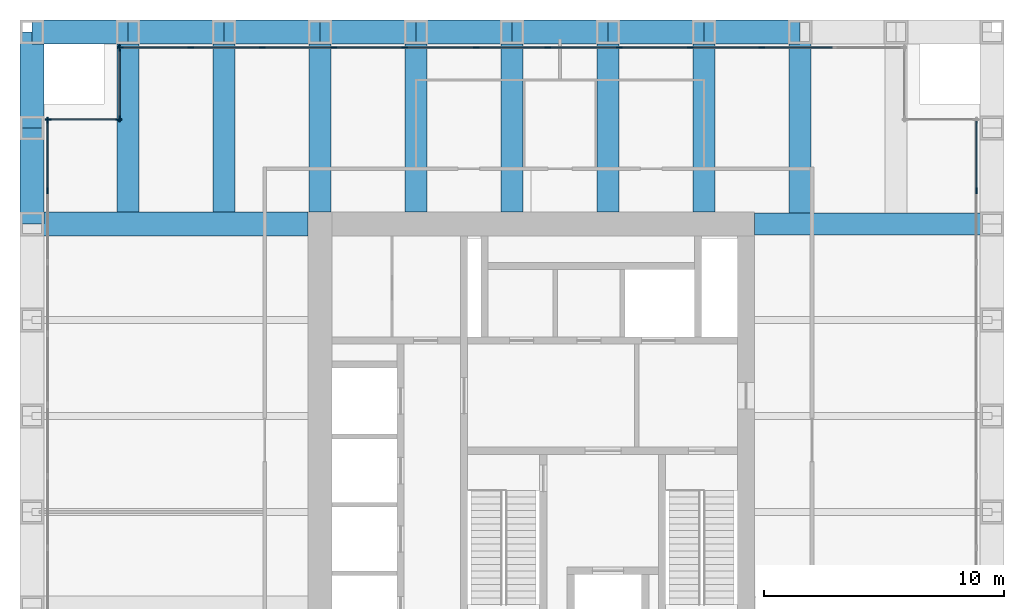
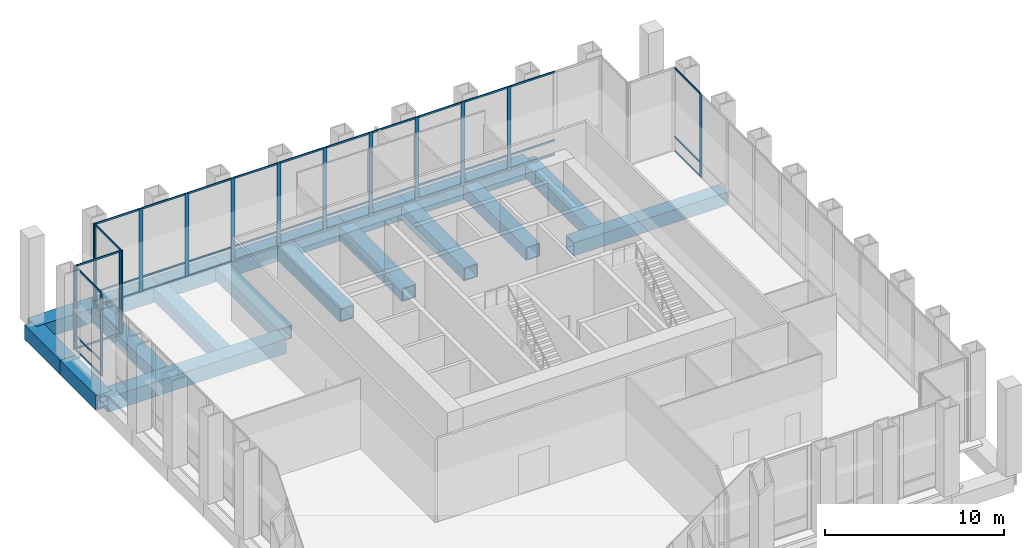
# One storey, part 6 of 12: 57 members, 20 beams, 5 elements without a shape of their own.
"""IFC4 building model written with IfcOpenShell, lengths in metres."""

from ifc_helpers import new_model, si_unit, direction, frame, origin, origin_2d, place, context, subcontext, project, spatial, rectangle, hollow_rectangle, extrude, material, material_profile, profile_set, type_object, element, aggregate, save


model = new_model("IFC4")

# Units and contexts
model_context = context("Model", 3, precision=1e-05, world=origin(), true_north=direction((0.0, 1.0)))
body_context = subcontext(model_context, "Body", "Model", "MODEL_VIEW")
ifc_project = project(units=[si_unit("LENGTHUNIT", "METRE"), si_unit("AREAUNIT", "SQUARE_METRE"), si_unit("VOLUMEUNIT", "CUBIC_METRE"), si_unit("PLANEANGLEUNIT", "RADIAN"), si_unit("MASSUNIT", "GRAM", prefix="KILO")], contexts=[model_context])

# Site, building, storey
site_placement = place(None, origin())
site = spatial("IfcSite", under=ifc_project, at=site_placement, CompositionType="ELEMENT")
building_placement = place(site_placement, origin())
building = spatial("IfcBuilding", under=site, at=building_placement, Name="Rimbunsela Tower", CompositionType="ELEMENT")
storey_placement = place(building_placement, frame((0.0, 0.0, 298.199951171875)))
storey = spatial("IfcBuildingStorey", under=building, at=storey_placement, Name="L72", CompositionType="ELEMENT", Elevation=298.199951171875)

# Beams
ifc_material_1 = material(Name="Steel BJ 55 (fy 410 MPa)", Category="steel")
ifc_material_profile_1 = material_profile(ifc_material_1, hollow_rectangle(XDim=1.0, YDim=1.0, WallThickness=0.10009765625, at=origin_2d()), Name="BOX 1000x1000x100")
ifc_profile_set_1 = profile_set([ifc_material_profile_1], Name="Steel BJ 55 (fy 410 MPa)")
beam_type_1 = type_object("IfcBeamType", Name="Beam BOX 1000x1000x100", PredefinedType="BEAM", material=ifc_profile_set_1)
beam_1_placement = place(storey_placement, frame((6.0, 36.0, -0.64990234375), z_axis=(0.0, 1.0, 0.0), x_axis=(-1.0, 0.0, 0.0)))
element("IfcBeam", 1, at=beam_1_placement, inside=storey, type_object=beam_type_1, Name="Beam B3 L72", PredefinedType="BEAM", context=body_context, shape_type="SweptSolid", body=[
    extrude(hollow_rectangle(XDim=1.0, YDim=1.0, WallThickness=0.10009765625, at=origin_2d()), origin(), (0.0, 0.0, 1.0), 4.0),
])
beam_2_placement = place(storey_placement, frame((6.0, 36.0, -0.64990234375), z_axis=(1.0, 0.0, 0.0), x_axis=(0.0, 1.0, 0.0)))
element("IfcBeam", 2, at=beam_2_placement, inside=storey, type_object=beam_type_1, Name="Beam B3 L72", PredefinedType="BEAM", context=body_context, shape_type="SweptSolid", body=[
    extrude(hollow_rectangle(XDim=1.0, YDim=1.0, WallThickness=0.10009765625, at=origin_2d()), origin(), (0.0, 0.0, 1.0), 11.5),
])
for number, where, z_axis, x_axis, name in (
    (3, (6.0, 40.0, -0.64990234375), (0.0, 1.0, 0.0), (-1.0, 0.0, 0.0), "Beam B3 L72"),
    (4, (6.0, 44.0, -0.64990234375), (1.0, 0.0, 0.0), (0.0, 1.0, 0.0), "Beam B3 L72"),
    (5, (10.0, 44.0, -0.64990234375), (1.0, 0.0, 0.0), (0.0, 1.0, 0.0), "Beam B3 L72"),
    (6, (14.0, 44.0, -0.64990234375), (1.0, 0.0, 0.0), (0.0, 1.0, 0.0), "Beam B3 L72"),
    (7, (18.0, 44.0, -0.64990234375), (1.0, 0.0, 0.0), (0.0, 1.0, 0.0), "Beam B3 L72"),
    (8, (22.0, 44.0, -0.64990234375), (1.0, 0.0, 0.0), (0.0, 1.0, 0.0), "Beam B3 L72"),
    (9, (26.0, 44.0, -0.64990234375), (1.0, 0.0, 0.0), (0.0, 1.0, 0.0), "Beam B3 L72"),
    (10, (30.0, 44.0, -0.64990234375), (1.0, 0.0, 0.0), (0.0, 1.0, 0.0), "Beam B3 L72"),
    (11, (34.0, 44.0, -0.64990234375), (1.0, 0.0, 0.0), (0.0, 1.0, 0.0), "Beam B3 L72"),
):
    element("IfcBeam", number, at=place(storey_placement, frame(where, z_axis=z_axis, x_axis=x_axis)), inside=storey, type_object=beam_type_1, Name=name, PredefinedType="BEAM", context=body_context, shape_type="SweptSolid", body=[
        extrude(hollow_rectangle(XDim=1.0, YDim=1.0, WallThickness=0.10009765625, at=origin_2d()), origin(), (0.0, 0.0, 1.0), 4.0),
    ])
ifc_material_2 = material(Name="Steel BJ 55 (fy 410 MPa)", Category="steel")
ifc_material_profile_2 = material_profile(ifc_material_2, hollow_rectangle(XDim=0.89990234375, YDim=0.89990234375, WallThickness=0.06005859375, at=origin_2d()), Name="BOX 900x900x60")
ifc_profile_set_2 = profile_set([ifc_material_profile_2], Name="Steel BJ 55 (fy 410 MPa)")
beam_type_2 = type_object("IfcBeamType", Name="Beam BOX 900x900x60", PredefinedType="BEAM", material=ifc_profile_set_2)
for number, where, z_axis, x_axis, name in (
    (12, (10.0, 36.5, -0.599853515625), (0.0, 1.0, 0.0), (-1.0, 0.0, 0.0), "Beam B1 L72"),
    (13, (14.0, 36.5, -0.599853515625), (0.0, 1.0, 0.0), (-1.0, 0.0, 0.0), "Beam B1 L72"),
    (14, (18.0, 36.5, -0.599853515625), (0.0, 1.0, 0.0), (-1.0, 0.0, 0.0), "Beam B1 L72"),
    (15, (22.0, 36.5, -0.599853515625), (0.0, 1.0, 0.0), (-1.0, 0.0, 0.0), "Beam B1 L72"),
    (16, (26.0, 36.5, -0.599853515625), (0.0, 1.0, 0.0), (-1.0, 0.0, 0.0), "Beam B1 L72"),
    (17, (30.0, 36.5, -0.599853515625), (0.0, 1.0, 0.0), (-1.0, 0.0, 0.0), "Beam B1 L72"),
    (18, (34.0, 36.5, -0.599853515625), (0.0, 1.0, 0.0), (-1.0, 0.0, 0.0), "Beam B1 L72"),
):
    element("IfcBeam", number, at=place(storey_placement, frame(where, z_axis=z_axis, x_axis=x_axis)), inside=storey, type_object=beam_type_2, Name=name, PredefinedType="BEAM", context=body_context, shape_type="SweptSolid", body=[
        extrude(hollow_rectangle(XDim=0.89990234375, YDim=0.89990234375, WallThickness=0.06005859375, at=origin_2d()), origin(), (0.0, 0.0, 1.0), 7.5),
    ])
beam_3_placement = place(storey_placement, frame((36.10009765625, 36.0, -0.599853515625), z_axis=(1.0, 0.0, 0.0), x_axis=(0.0, 1.0, 0.0)))
element("IfcBeam", 19, at=beam_3_placement, inside=storey, type_object=beam_type_2, Name="Beam B1 L72", PredefinedType="BEAM", context=body_context, shape_type="SweptSolid", body=[
    extrude(hollow_rectangle(XDim=0.89990234375, YDim=0.89990234375, WallThickness=0.06005859375, at=origin_2d()), origin(), (0.0, 0.0, 1.0), 9.89990234375),
])
beam_4_placement = place(storey_placement, frame((38.0, 36.449951171875, -0.599853515625), z_axis=(0.0, 1.0, 0.0), x_axis=(-1.0, 0.0, 0.0)))
element("IfcBeam", 20, at=beam_4_placement, inside=storey, type_object=beam_type_2, Name="Beam B1 L72", PredefinedType="BEAM", context=body_context, shape_type="SweptSolid", body=[
    extrude(hollow_rectangle(XDim=0.89990234375, YDim=0.89990234375, WallThickness=0.06005859375, at=origin_2d()), origin(), (0.0, 0.0, 1.0), 7.550048828125),
])

# Curtain wall, member
ifc_material_3 = material(Name="Aluminium curtain wall", Category="aluminium")
curtain_wall_type_1 = type_object("IfcCurtainWallType", Name="Crown glazing", PredefinedType="USERDEFINED", material=ifc_material_3)
curtain_wall_1_placement = place(storey_placement, origin())
curtain_wall_1 = element("IfcCurtainWall", 21, at=curtain_wall_1_placement, inside=storey, type_object=curtain_wall_type_1, Name="Crown glazing L72", ObjectType="CROWN GLAZING", PredefinedType="USERDEFINED")
ifc_material_4 = material(Name="Aluminium mullion", Category="aluminium")
ifc_material_profile_3 = material_profile(ifc_material_4, rectangle(XDim=0.06005859375, YDim=0.25, at=origin_2d()), Name="Mullion 60x250")
ifc_profile_set_3 = profile_set([ifc_material_profile_3], Name="Aluminium mullion")
member_type_1 = type_object("IfcMemberType", Name="Curtain wall mullion 60x250", PredefinedType="MULLION", material=ifc_profile_set_3)
member_1_placement = place(storey_placement, frame((45.35009765625, 37.377197265625, 0.0), z_axis=(0.0, 0.0, 1.0), x_axis=(-1.0, 0.0, 0.0)))
member_1 = element("IfcMember", 22, at=member_1_placement, type_object=member_type_1, Name="CW6 mullion 11", PredefinedType="MULLION", context=body_context, shape_type="SweptSolid", body=[
    extrude(rectangle(XDim=0.06005859375, YDim=0.25, at=origin_2d()), origin(), (0.0, 0.0, 1.0), 5.699951171875),
])

# Curtain wall, members
curtain_wall_2_placement = place(storey_placement, origin())
curtain_wall_2 = element("IfcCurtainWall", 23, at=curtain_wall_2_placement, inside=storey, type_object=curtain_wall_type_1, Name="Crown glazing L72", ObjectType="CROWN GLAZING", PredefinedType="USERDEFINED")
member_2_placement = place(storey_placement, frame((36.404541015625, 43.35009765625, 0.0), z_axis=(0.0, 0.0, 1.0), x_axis=(0.0, -1.0, 0.0)))
member_2 = element("IfcMember", 24, at=member_2_placement, type_object=member_type_1, Name="CW6 mullion 3", PredefinedType="MULLION", context=body_context, shape_type="SweptSolid", body=[
    extrude(rectangle(XDim=0.06005859375, YDim=0.25, at=origin_2d()), origin(), (0.0, 0.0, 1.0), 5.699951171875),
])
member_3_placement = place(storey_placement, frame((33.431884765625, 43.35009765625, 0.0), z_axis=(0.0, 0.0, 1.0), x_axis=(0.0, -1.0, 0.0)))
member_3 = element("IfcMember", 25, at=member_3_placement, type_object=member_type_1, Name="CW6 mullion 4", PredefinedType="MULLION", context=body_context, shape_type="SweptSolid", body=[
    extrude(rectangle(XDim=0.06005859375, YDim=0.25, at=origin_2d()), origin(), (0.0, 0.0, 1.0), 5.699951171875),
])
member_4_placement = place(storey_placement, frame((30.458984375, 43.35009765625, 0.0), z_axis=(0.0, 0.0, 1.0), x_axis=(0.0, -1.0, 0.0)))
member_4 = element("IfcMember", 26, at=member_4_placement, type_object=member_type_1, Name="CW6 mullion 5", PredefinedType="MULLION", context=body_context, shape_type="SweptSolid", body=[
    extrude(rectangle(XDim=0.06005859375, YDim=0.25, at=origin_2d()), origin(), (0.0, 0.0, 1.0), 5.699951171875),
])
member_5_placement = place(storey_placement, frame((27.486328125, 43.35009765625, 0.0), z_axis=(0.0, 0.0, 1.0), x_axis=(0.0, -1.0, 0.0)))
member_5 = element("IfcMember", 27, at=member_5_placement, type_object=member_type_1, Name="CW6 mullion 6", PredefinedType="MULLION", context=body_context, shape_type="SweptSolid", body=[
    extrude(rectangle(XDim=0.06005859375, YDim=0.25, at=origin_2d()), origin(), (0.0, 0.0, 1.0), 5.699951171875),
])
member_6_placement = place(storey_placement, frame((24.513671875, 43.35009765625, 0.0), z_axis=(0.0, 0.0, 1.0), x_axis=(0.0, -1.0, 0.0)))
member_6 = element("IfcMember", 28, at=member_6_placement, type_object=member_type_1, Name="CW6 mullion 7", PredefinedType="MULLION", context=body_context, shape_type="SweptSolid", body=[
    extrude(rectangle(XDim=0.06005859375, YDim=0.25, at=origin_2d()), origin(), (0.0, 0.0, 1.0), 5.699951171875),
])
member_7_placement = place(storey_placement, frame((21.541015625, 43.35009765625, 0.0), z_axis=(0.0, 0.0, 1.0), x_axis=(0.0, -1.0, 0.0)))
member_7 = element("IfcMember", 29, at=member_7_placement, type_object=member_type_1, Name="CW6 mullion 8", PredefinedType="MULLION", context=body_context, shape_type="SweptSolid", body=[
    extrude(rectangle(XDim=0.06005859375, YDim=0.25, at=origin_2d()), origin(), (0.0, 0.0, 1.0), 5.699951171875),
])
member_8_placement = place(storey_placement, frame((18.568115234375, 43.35009765625, 0.0), z_axis=(0.0, 0.0, 1.0), x_axis=(0.0, -1.0, 0.0)))
member_8 = element("IfcMember", 30, at=member_8_placement, type_object=member_type_1, Name="CW6 mullion 9", PredefinedType="MULLION", context=body_context, shape_type="SweptSolid", body=[
    extrude(rectangle(XDim=0.06005859375, YDim=0.25, at=origin_2d()), origin(), (0.0, 0.0, 1.0), 5.699951171875),
])
member_9_placement = place(storey_placement, frame((15.595458984375, 43.35009765625, 0.0), z_axis=(0.0, 0.0, 1.0), x_axis=(0.0, -1.0, 0.0)))
member_9 = element("IfcMember", 31, at=member_9_placement, type_object=member_type_1, Name="CW6 mullion 10", PredefinedType="MULLION", context=body_context, shape_type="SweptSolid", body=[
    extrude(rectangle(XDim=0.06005859375, YDim=0.25, at=origin_2d()), origin(), (0.0, 0.0, 1.0), 5.699951171875),
])
member_10_placement = place(storey_placement, frame((12.622802734375, 43.35009765625, 0.0), z_axis=(0.0, 0.0, 1.0), x_axis=(0.0, -1.0, 0.0)))
member_10 = element("IfcMember", 32, at=member_10_placement, type_object=member_type_1, Name="CW6 mullion 11", PredefinedType="MULLION", context=body_context, shape_type="SweptSolid", body=[
    extrude(rectangle(XDim=0.06005859375, YDim=0.25, at=origin_2d()), origin(), (0.0, 0.0, 1.0), 5.699951171875),
])
member_11_placement = place(storey_placement, frame((9.679931640625, 43.35009765625, 0.0), z_axis=(0.0, 0.0, 1.0), x_axis=(0.0, -1.0, 0.0)))
member_11 = element("IfcMember", 33, at=member_11_placement, type_object=member_type_1, Name="CW6 mullion 12", PredefinedType="MULLION", context=body_context, shape_type="SweptSolid", body=[
    extrude(rectangle(XDim=0.06005859375, YDim=0.25, at=origin_2d()), origin(), (0.0, 0.0, 1.0), 5.699951171875),
])

ifc_material_5 = material(Name="Aluminium curtain wall", Category="aluminium")
curtain_wall_type_2 = type_object("IfcCurtainWallType", Name="Corner glazing", PredefinedType="USERDEFINED", material=ifc_material_5)
curtain_wall_3_placement = place(storey_placement, origin())
curtain_wall_3 = element("IfcCurtainWall", 34, at=curtain_wall_3_placement, inside=storey, type_object=curtain_wall_type_2, Name="Corner glazing L72", ObjectType="CORNER GLAZING", PredefinedType="USERDEFINED")
member_12_placement = place(storey_placement, frame((9.64990234375, 43.320068359375, 0.0), z_axis=(0.0, 0.0, 1.0), x_axis=(1.0, 0.0, 0.0)))
member_12 = element("IfcMember", 35, at=member_12_placement, type_object=member_type_1, Name="CW5 mullion 1", PredefinedType="MULLION", context=body_context, shape_type="SweptSolid", body=[
    extrude(rectangle(XDim=0.06005859375, YDim=0.25, at=origin_2d()), origin(), (0.0, 0.0, 1.0), 5.699951171875),
])
member_13_placement = place(storey_placement, frame((9.64990234375, 40.3798828125, 0.0), z_axis=(0.0, 0.0, 1.0), x_axis=(1.0, 0.0, 0.0)))
member_13 = element("IfcMember", 36, at=member_13_placement, type_object=member_type_1, Name="CW5 mullion 2", PredefinedType="MULLION", context=body_context, shape_type="SweptSolid", body=[
    extrude(rectangle(XDim=0.06005859375, YDim=0.25, at=origin_2d()), origin(), (0.0, 0.0, 1.0), 5.699951171875),
])

curtain_wall_4_placement = place(storey_placement, origin())
curtain_wall_4 = element("IfcCurtainWall", 37, at=curtain_wall_4_placement, inside=storey, type_object=curtain_wall_type_2, Name="Corner glazing L72", ObjectType="CORNER GLAZING", PredefinedType="USERDEFINED")
member_14_placement = place(storey_placement, frame((9.6201171875, 40.35009765625, 0.0), z_axis=(0.0, 0.0, 1.0), x_axis=(0.0, -1.0, 0.0)))
member_14 = element("IfcMember", 38, at=member_14_placement, type_object=member_type_1, Name="CW5 mullion 1", PredefinedType="MULLION", context=body_context, shape_type="SweptSolid", body=[
    extrude(rectangle(XDim=0.06005859375, YDim=0.25, at=origin_2d()), origin(), (0.0, 0.0, 1.0), 5.699951171875),
])
member_15_placement = place(storey_placement, frame((6.679931640625, 40.35009765625, 0.0), z_axis=(0.0, 0.0, 1.0), x_axis=(0.0, -1.0, 0.0)))
member_15 = element("IfcMember", 39, at=member_15_placement, type_object=member_type_1, Name="CW5 mullion 2", PredefinedType="MULLION", context=body_context, shape_type="SweptSolid", body=[
    extrude(rectangle(XDim=0.06005859375, YDim=0.25, at=origin_2d()), origin(), (0.0, 0.0, 1.0), 5.699951171875),
])

curtain_wall_5_placement = place(storey_placement, origin())
curtain_wall_5 = element("IfcCurtainWall", 40, at=curtain_wall_5_placement, inside=storey, type_object=curtain_wall_type_1, Name="Crown glazing L72", ObjectType="CROWN GLAZING", PredefinedType="USERDEFINED")
member_16_placement = place(storey_placement, frame((6.64990234375, 40.320068359375, 0.0), z_axis=(0.0, 0.0, 1.0), x_axis=(1.0, 0.0, 0.0)))
member_16 = element("IfcMember", 41, at=member_16_placement, type_object=member_type_1, Name="CW6 mullion 1", PredefinedType="MULLION", context=body_context, shape_type="SweptSolid", body=[
    extrude(rectangle(XDim=0.06005859375, YDim=0.25, at=origin_2d()), origin(), (0.0, 0.0, 1.0), 5.699951171875),
])
member_17_placement = place(storey_placement, frame((6.64990234375, 37.377197265625, 0.0), z_axis=(0.0, 0.0, 1.0), x_axis=(1.0, 0.0, 0.0)))
member_17 = element("IfcMember", 42, at=member_17_placement, type_object=member_type_1, Name="CW6 mullion 2", PredefinedType="MULLION", context=body_context, shape_type="SweptSolid", body=[
    extrude(rectangle(XDim=0.06005859375, YDim=0.25, at=origin_2d()), origin(), (0.0, 0.0, 1.0), 5.699951171875),
])

# Member
ifc_material_6 = material(Name="Aluminium transom", Category="aluminium")
ifc_material_profile_4 = material_profile(ifc_material_6, rectangle(XDim=0.06005859375, YDim=0.1201171875, at=origin_2d()), Name="Transom 60x120")
ifc_profile_set_4 = profile_set([ifc_material_profile_4], Name="Aluminium transom")
member_type_2 = type_object("IfcMemberType", Name="Curtain wall transom 60x120", PredefinedType="USERDEFINED", material=ifc_profile_set_4)
member_18_placement = place(storey_placement, frame((45.35009765625, 37.4072265625, 0.030029296875), z_axis=(0.0, 1.0, 0.0), x_axis=(-1.0, 0.0, 0.0)))
member_18 = element("IfcMember", 43, at=member_18_placement, type_object=member_type_2, Name="CW6 transom 11.1", ObjectType="TRANSOM", PredefinedType="USERDEFINED", context=body_context, shape_type="SweptSolid", body=[
    extrude(rectangle(XDim=0.06005859375, YDim=0.1201171875, at=origin_2d()), origin(), (0.0, 0.0, 1.0), 2.8828125),
])

member_19_placement = place(storey_placement, frame((45.35009765625, 37.4072265625, 1.0), z_axis=(0.0, 1.0, 0.0), x_axis=(-1.0, 0.0, 0.0)))
member_19 = element("IfcMember", 44, at=member_19_placement, type_object=member_type_2, Name="CW6 transom 11.2", ObjectType="TRANSOM", PredefinedType="USERDEFINED", context=body_context, shape_type="SweptSolid", body=[
    extrude(rectangle(XDim=0.06005859375, YDim=0.1201171875, at=origin_2d()), origin(), (0.0, 0.0, 1.0), 2.8828125),
])

member_20_placement = place(storey_placement, frame((45.35009765625, 37.4072265625, 5.670166015625), z_axis=(0.0, 1.0, 0.0), x_axis=(-1.0, 0.0, 0.0)))
member_20 = element("IfcMember", 45, at=member_20_placement, type_object=member_type_2, Name="CW6 transom 11.3", ObjectType="TRANSOM", PredefinedType="USERDEFINED", context=body_context, shape_type="SweptSolid", body=[
    extrude(rectangle(XDim=0.06005859375, YDim=0.1201171875, at=origin_2d()), origin(), (0.0, 0.0, 1.0), 2.8828125),
])

aggregate(curtain_wall_1, [member_1, member_18, member_19, member_20])

member_21_placement = place(storey_placement, frame((39.34716796875, 43.35009765625, 0.030029296875), z_axis=(-1.0, 0.0, 0.0), x_axis=(0.0, -1.0, 0.0)))
member_21 = element("IfcMember", 46, at=member_21_placement, type_object=member_type_2, Name="CW6 transom 2.1", ObjectType="TRANSOM", PredefinedType="USERDEFINED", context=body_context, shape_type="SweptSolid", body=[
    extrude(rectangle(XDim=0.06005859375, YDim=0.1201171875, at=origin_2d()), origin(), (0.0, 0.0, 1.0), 2.91259765625),
])

member_22_placement = place(storey_placement, frame((39.34716796875, 43.35009765625, 1.0), z_axis=(-1.0, 0.0, 0.0), x_axis=(0.0, -1.0, 0.0)))
member_22 = element("IfcMember", 47, at=member_22_placement, type_object=member_type_2, Name="CW6 transom 2.2", ObjectType="TRANSOM", PredefinedType="USERDEFINED", context=body_context, shape_type="SweptSolid", body=[
    extrude(rectangle(XDim=0.06005859375, YDim=0.1201171875, at=origin_2d()), origin(), (0.0, 0.0, 1.0), 2.91259765625),
])

member_23_placement = place(storey_placement, frame((39.34716796875, 43.35009765625, 5.670166015625), z_axis=(-1.0, 0.0, 0.0), x_axis=(0.0, -1.0, 0.0)))
member_23 = element("IfcMember", 48, at=member_23_placement, type_object=member_type_2, Name="CW6 transom 2.3", ObjectType="TRANSOM", PredefinedType="USERDEFINED", context=body_context, shape_type="SweptSolid", body=[
    extrude(rectangle(XDim=0.06005859375, YDim=0.1201171875, at=origin_2d()), origin(), (0.0, 0.0, 1.0), 2.91259765625),
])

member_24_placement = place(storey_placement, frame((36.37451171875, 43.35009765625, 0.030029296875), z_axis=(-1.0, 0.0, 0.0), x_axis=(0.0, -1.0, 0.0)))
member_24 = element("IfcMember", 49, at=member_24_placement, type_object=member_type_2, Name="CW6 transom 3.1", ObjectType="TRANSOM", PredefinedType="USERDEFINED", context=body_context, shape_type="SweptSolid", body=[
    extrude(rectangle(XDim=0.06005859375, YDim=0.1201171875, at=origin_2d()), origin(), (0.0, 0.0, 1.0), 2.91259765625),
])

member_25_placement = place(storey_placement, frame((36.37451171875, 43.35009765625, 1.0), z_axis=(-1.0, 0.0, 0.0), x_axis=(0.0, -1.0, 0.0)))
member_25 = element("IfcMember", 50, at=member_25_placement, type_object=member_type_2, Name="CW6 transom 3.2", ObjectType="TRANSOM", PredefinedType="USERDEFINED", context=body_context, shape_type="SweptSolid", body=[
    extrude(rectangle(XDim=0.06005859375, YDim=0.1201171875, at=origin_2d()), origin(), (0.0, 0.0, 1.0), 2.91259765625),
])

member_26_placement = place(storey_placement, frame((36.37451171875, 43.35009765625, 5.670166015625), z_axis=(-1.0, 0.0, 0.0), x_axis=(0.0, -1.0, 0.0)))
member_26 = element("IfcMember", 51, at=member_26_placement, type_object=member_type_2, Name="CW6 transom 3.3", ObjectType="TRANSOM", PredefinedType="USERDEFINED", context=body_context, shape_type="SweptSolid", body=[
    extrude(rectangle(XDim=0.06005859375, YDim=0.1201171875, at=origin_2d()), origin(), (0.0, 0.0, 1.0), 2.91259765625),
])

member_27_placement = place(storey_placement, frame((33.40185546875, 43.35009765625, 0.030029296875), z_axis=(-1.0, 0.0, 0.0), x_axis=(0.0, -1.0, 0.0)))
member_27 = element("IfcMember", 52, at=member_27_placement, type_object=member_type_2, Name="CW6 transom 4.1", ObjectType="TRANSOM", PredefinedType="USERDEFINED", context=body_context, shape_type="SweptSolid", body=[
    extrude(rectangle(XDim=0.06005859375, YDim=0.1201171875, at=origin_2d()), origin(), (0.0, 0.0, 1.0), 2.912841796875),
])

member_28_placement = place(storey_placement, frame((33.40185546875, 43.35009765625, 1.0), z_axis=(-1.0, 0.0, 0.0), x_axis=(0.0, -1.0, 0.0)))
member_28 = element("IfcMember", 53, at=member_28_placement, type_object=member_type_2, Name="CW6 transom 4.2", ObjectType="TRANSOM", PredefinedType="USERDEFINED", context=body_context, shape_type="SweptSolid", body=[
    extrude(rectangle(XDim=0.06005859375, YDim=0.1201171875, at=origin_2d()), origin(), (0.0, 0.0, 1.0), 2.912841796875),
])

member_29_placement = place(storey_placement, frame((33.40185546875, 43.35009765625, 5.670166015625), z_axis=(-1.0, 0.0, 0.0), x_axis=(0.0, -1.0, 0.0)))
member_29 = element("IfcMember", 54, at=member_29_placement, type_object=member_type_2, Name="CW6 transom 4.3", ObjectType="TRANSOM", PredefinedType="USERDEFINED", context=body_context, shape_type="SweptSolid", body=[
    extrude(rectangle(XDim=0.06005859375, YDim=0.1201171875, at=origin_2d()), origin(), (0.0, 0.0, 1.0), 2.912841796875),
])

member_30_placement = place(storey_placement, frame((30.42919921875, 43.35009765625, 0.030029296875), z_axis=(-1.0, 0.0, 0.0), x_axis=(0.0, -1.0, 0.0)))
member_30 = element("IfcMember", 55, at=member_30_placement, type_object=member_type_2, Name="CW6 transom 5.1", ObjectType="TRANSOM", PredefinedType="USERDEFINED", context=body_context, shape_type="SweptSolid", body=[
    extrude(rectangle(XDim=0.06005859375, YDim=0.1201171875, at=origin_2d()), origin(), (0.0, 0.0, 1.0), 2.912841796875),
])

member_31_placement = place(storey_placement, frame((30.42919921875, 43.35009765625, 1.0), z_axis=(-1.0, 0.0, 0.0), x_axis=(0.0, -1.0, 0.0)))
member_31 = element("IfcMember", 56, at=member_31_placement, type_object=member_type_2, Name="CW6 transom 5.2", ObjectType="TRANSOM", PredefinedType="USERDEFINED", context=body_context, shape_type="SweptSolid", body=[
    extrude(rectangle(XDim=0.06005859375, YDim=0.1201171875, at=origin_2d()), origin(), (0.0, 0.0, 1.0), 2.912841796875),
])

member_32_placement = place(storey_placement, frame((30.42919921875, 43.35009765625, 5.670166015625), z_axis=(-1.0, 0.0, 0.0), x_axis=(0.0, -1.0, 0.0)))
member_32 = element("IfcMember", 57, at=member_32_placement, type_object=member_type_2, Name="CW6 transom 5.3", ObjectType="TRANSOM", PredefinedType="USERDEFINED", context=body_context, shape_type="SweptSolid", body=[
    extrude(rectangle(XDim=0.06005859375, YDim=0.1201171875, at=origin_2d()), origin(), (0.0, 0.0, 1.0), 2.912841796875),
])

member_33_placement = place(storey_placement, frame((27.456298828125, 43.35009765625, 0.030029296875), z_axis=(-1.0, 0.0, 0.0), x_axis=(0.0, -1.0, 0.0)))
member_33 = element("IfcMember", 58, at=member_33_placement, type_object=member_type_2, Name="CW6 transom 6.1", ObjectType="TRANSOM", PredefinedType="USERDEFINED", context=body_context, shape_type="SweptSolid", body=[
    extrude(rectangle(XDim=0.06005859375, YDim=0.1201171875, at=origin_2d()), origin(), (0.0, 0.0, 1.0), 2.91259765625),
])

member_34_placement = place(storey_placement, frame((27.456298828125, 43.35009765625, 1.0), z_axis=(-1.0, 0.0, 0.0), x_axis=(0.0, -1.0, 0.0)))
member_34 = element("IfcMember", 59, at=member_34_placement, type_object=member_type_2, Name="CW6 transom 6.2", ObjectType="TRANSOM", PredefinedType="USERDEFINED", context=body_context, shape_type="SweptSolid", body=[
    extrude(rectangle(XDim=0.06005859375, YDim=0.1201171875, at=origin_2d()), origin(), (0.0, 0.0, 1.0), 2.91259765625),
])

member_35_placement = place(storey_placement, frame((27.456298828125, 43.35009765625, 5.670166015625), z_axis=(-1.0, 0.0, 0.0), x_axis=(0.0, -1.0, 0.0)))
member_35 = element("IfcMember", 60, at=member_35_placement, type_object=member_type_2, Name="CW6 transom 6.3", ObjectType="TRANSOM", PredefinedType="USERDEFINED", context=body_context, shape_type="SweptSolid", body=[
    extrude(rectangle(XDim=0.06005859375, YDim=0.1201171875, at=origin_2d()), origin(), (0.0, 0.0, 1.0), 2.91259765625),
])

member_36_placement = place(storey_placement, frame((24.483642578125, 43.35009765625, 0.030029296875), z_axis=(-1.0, 0.0, 0.0), x_axis=(0.0, -1.0, 0.0)))
member_36 = element("IfcMember", 61, at=member_36_placement, type_object=member_type_2, Name="CW6 transom 7.1", ObjectType="TRANSOM", PredefinedType="USERDEFINED", context=body_context, shape_type="SweptSolid", body=[
    extrude(rectangle(XDim=0.06005859375, YDim=0.1201171875, at=origin_2d()), origin(), (0.0, 0.0, 1.0), 2.912841796875),
])

member_37_placement = place(storey_placement, frame((24.483642578125, 43.35009765625, 1.0), z_axis=(-1.0, 0.0, 0.0), x_axis=(0.0, -1.0, 0.0)))
member_37 = element("IfcMember", 62, at=member_37_placement, type_object=member_type_2, Name="CW6 transom 7.2", ObjectType="TRANSOM", PredefinedType="USERDEFINED", context=body_context, shape_type="SweptSolid", body=[
    extrude(rectangle(XDim=0.06005859375, YDim=0.1201171875, at=origin_2d()), origin(), (0.0, 0.0, 1.0), 2.912841796875),
])

member_38_placement = place(storey_placement, frame((24.483642578125, 43.35009765625, 5.670166015625), z_axis=(-1.0, 0.0, 0.0), x_axis=(0.0, -1.0, 0.0)))
member_38 = element("IfcMember", 63, at=member_38_placement, type_object=member_type_2, Name="CW6 transom 7.3", ObjectType="TRANSOM", PredefinedType="USERDEFINED", context=body_context, shape_type="SweptSolid", body=[
    extrude(rectangle(XDim=0.06005859375, YDim=0.1201171875, at=origin_2d()), origin(), (0.0, 0.0, 1.0), 2.912841796875),
])

member_39_placement = place(storey_placement, frame((21.510986328125, 43.35009765625, 0.030029296875), z_axis=(-1.0, 0.0, 0.0), x_axis=(0.0, -1.0, 0.0)))
member_39 = element("IfcMember", 64, at=member_39_placement, type_object=member_type_2, Name="CW6 transom 8.1", ObjectType="TRANSOM", PredefinedType="USERDEFINED", context=body_context, shape_type="SweptSolid", body=[
    extrude(rectangle(XDim=0.06005859375, YDim=0.1201171875, at=origin_2d()), origin(), (0.0, 0.0, 1.0), 2.912841796875),
])

member_40_placement = place(storey_placement, frame((21.510986328125, 43.35009765625, 1.0), z_axis=(-1.0, 0.0, 0.0), x_axis=(0.0, -1.0, 0.0)))
member_40 = element("IfcMember", 65, at=member_40_placement, type_object=member_type_2, Name="CW6 transom 8.2", ObjectType="TRANSOM", PredefinedType="USERDEFINED", context=body_context, shape_type="SweptSolid", body=[
    extrude(rectangle(XDim=0.06005859375, YDim=0.1201171875, at=origin_2d()), origin(), (0.0, 0.0, 1.0), 2.912841796875),
])

member_41_placement = place(storey_placement, frame((21.510986328125, 43.35009765625, 5.670166015625), z_axis=(-1.0, 0.0, 0.0), x_axis=(0.0, -1.0, 0.0)))
member_41 = element("IfcMember", 66, at=member_41_placement, type_object=member_type_2, Name="CW6 transom 8.3", ObjectType="TRANSOM", PredefinedType="USERDEFINED", context=body_context, shape_type="SweptSolid", body=[
    extrude(rectangle(XDim=0.06005859375, YDim=0.1201171875, at=origin_2d()), origin(), (0.0, 0.0, 1.0), 2.912841796875),
])

member_42_placement = place(storey_placement, frame((18.5380859375, 43.35009765625, 0.030029296875), z_axis=(-1.0, 0.0, 0.0), x_axis=(0.0, -1.0, 0.0)))
member_42 = element("IfcMember", 67, at=member_42_placement, type_object=member_type_2, Name="CW6 transom 9.1", ObjectType="TRANSOM", PredefinedType="USERDEFINED", context=body_context, shape_type="SweptSolid", body=[
    extrude(rectangle(XDim=0.06005859375, YDim=0.1201171875, at=origin_2d()), origin(), (0.0, 0.0, 1.0), 2.91259765625),
])

member_43_placement = place(storey_placement, frame((18.5380859375, 43.35009765625, 1.0), z_axis=(-1.0, 0.0, 0.0), x_axis=(0.0, -1.0, 0.0)))
member_43 = element("IfcMember", 68, at=member_43_placement, type_object=member_type_2, Name="CW6 transom 9.2", ObjectType="TRANSOM", PredefinedType="USERDEFINED", context=body_context, shape_type="SweptSolid", body=[
    extrude(rectangle(XDim=0.06005859375, YDim=0.1201171875, at=origin_2d()), origin(), (0.0, 0.0, 1.0), 2.91259765625),
])

member_44_placement = place(storey_placement, frame((18.5380859375, 43.35009765625, 5.670166015625), z_axis=(-1.0, 0.0, 0.0), x_axis=(0.0, -1.0, 0.0)))
member_44 = element("IfcMember", 69, at=member_44_placement, type_object=member_type_2, Name="CW6 transom 9.3", ObjectType="TRANSOM", PredefinedType="USERDEFINED", context=body_context, shape_type="SweptSolid", body=[
    extrude(rectangle(XDim=0.06005859375, YDim=0.1201171875, at=origin_2d()), origin(), (0.0, 0.0, 1.0), 2.91259765625),
])

member_45_placement = place(storey_placement, frame((15.5654296875, 43.35009765625, 0.030029296875), z_axis=(-1.0, 0.0, 0.0), x_axis=(0.0, -1.0, 0.0)))
member_45 = element("IfcMember", 70, at=member_45_placement, type_object=member_type_2, Name="CW6 transom 10.1", ObjectType="TRANSOM", PredefinedType="USERDEFINED", context=body_context, shape_type="SweptSolid", body=[
    extrude(rectangle(XDim=0.06005859375, YDim=0.1201171875, at=origin_2d()), origin(), (0.0, 0.0, 1.0), 2.91259765625),
])

member_46_placement = place(storey_placement, frame((15.5654296875, 43.35009765625, 1.0), z_axis=(-1.0, 0.0, 0.0), x_axis=(0.0, -1.0, 0.0)))
member_46 = element("IfcMember", 71, at=member_46_placement, type_object=member_type_2, Name="CW6 transom 10.2", ObjectType="TRANSOM", PredefinedType="USERDEFINED", context=body_context, shape_type="SweptSolid", body=[
    extrude(rectangle(XDim=0.06005859375, YDim=0.1201171875, at=origin_2d()), origin(), (0.0, 0.0, 1.0), 2.91259765625),
])

member_47_placement = place(storey_placement, frame((15.5654296875, 43.35009765625, 5.670166015625), z_axis=(-1.0, 0.0, 0.0), x_axis=(0.0, -1.0, 0.0)))
member_47 = element("IfcMember", 72, at=member_47_placement, type_object=member_type_2, Name="CW6 transom 10.3", ObjectType="TRANSOM", PredefinedType="USERDEFINED", context=body_context, shape_type="SweptSolid", body=[
    extrude(rectangle(XDim=0.06005859375, YDim=0.1201171875, at=origin_2d()), origin(), (0.0, 0.0, 1.0), 2.91259765625),
])

member_48_placement = place(storey_placement, frame((12.5927734375, 43.35009765625, 0.030029296875), z_axis=(-1.0, 0.0, 0.0), x_axis=(0.0, -1.0, 0.0)))
member_48 = element("IfcMember", 73, at=member_48_placement, type_object=member_type_2, Name="CW6 transom 11.1", ObjectType="TRANSOM", PredefinedType="USERDEFINED", context=body_context, shape_type="SweptSolid", body=[
    extrude(rectangle(XDim=0.06005859375, YDim=0.1201171875, at=origin_2d()), origin(), (0.0, 0.0, 1.0), 2.8828125),
])

member_49_placement = place(storey_placement, frame((12.5927734375, 43.35009765625, 1.0), z_axis=(-1.0, 0.0, 0.0), x_axis=(0.0, -1.0, 0.0)))
member_49 = element("IfcMember", 74, at=member_49_placement, type_object=member_type_2, Name="CW6 transom 11.2", ObjectType="TRANSOM", PredefinedType="USERDEFINED", context=body_context, shape_type="SweptSolid", body=[
    extrude(rectangle(XDim=0.06005859375, YDim=0.1201171875, at=origin_2d()), origin(), (0.0, 0.0, 1.0), 2.8828125),
])

member_50_placement = place(storey_placement, frame((12.5927734375, 43.35009765625, 5.670166015625), z_axis=(-1.0, 0.0, 0.0), x_axis=(0.0, -1.0, 0.0)))
member_50 = element("IfcMember", 75, at=member_50_placement, type_object=member_type_2, Name="CW6 transom 11.3", ObjectType="TRANSOM", PredefinedType="USERDEFINED", context=body_context, shape_type="SweptSolid", body=[
    extrude(rectangle(XDim=0.06005859375, YDim=0.1201171875, at=origin_2d()), origin(), (0.0, 0.0, 1.0), 2.8828125),
])

aggregate(curtain_wall_2, [member_2, member_3, member_4, member_5, member_6, member_7, member_8, member_9, member_10, member_11, member_21, member_22, member_23, member_24, member_25, member_26, member_27, member_28, member_29, member_30, member_31, member_32, member_33, member_34, member_35, member_36, member_37, member_38, member_39, member_40, member_41, member_42, member_43, member_44, member_45, member_46, member_47, member_48, member_49, member_50])

member_51_placement = place(storey_placement, frame((9.64990234375, 43.2900390625, 0.030029296875), z_axis=(0.0, -1.0, 0.0), x_axis=(1.0, 0.0, 0.0)))
member_51 = element("IfcMember", 76, at=member_51_placement, type_object=member_type_2, Name="CW5 transom 1.1", ObjectType="TRANSOM", PredefinedType="USERDEFINED", context=body_context, shape_type="SweptSolid", body=[
    extrude(rectangle(XDim=0.06005859375, YDim=0.1201171875, at=origin_2d()), origin(), (0.0, 0.0, 1.0), 2.880126953125),
])

member_52_placement = place(storey_placement, frame((9.64990234375, 43.2900390625, 5.670166015625), z_axis=(0.0, -1.0, 0.0), x_axis=(1.0, 0.0, 0.0)))
member_52 = element("IfcMember", 77, at=member_52_placement, type_object=member_type_2, Name="CW5 transom 1.2", ObjectType="TRANSOM", PredefinedType="USERDEFINED", context=body_context, shape_type="SweptSolid", body=[
    extrude(rectangle(XDim=0.06005859375, YDim=0.1201171875, at=origin_2d()), origin(), (0.0, 0.0, 1.0), 2.880126953125),
])

aggregate(curtain_wall_3, [member_12, member_13, member_51, member_52])

member_53_placement = place(storey_placement, frame((9.590087890625, 40.35009765625, 0.030029296875), z_axis=(-1.0, 0.0, 0.0), x_axis=(0.0, -1.0, 0.0)))
member_53 = element("IfcMember", 78, at=member_53_placement, type_object=member_type_2, Name="CW5 transom 1.1", ObjectType="TRANSOM", PredefinedType="USERDEFINED", context=body_context, shape_type="SweptSolid", body=[
    extrude(rectangle(XDim=0.06005859375, YDim=0.1201171875, at=origin_2d()), origin(), (0.0, 0.0, 1.0), 2.880126953125),
])

member_54_placement = place(storey_placement, frame((9.590087890625, 40.35009765625, 5.670166015625), z_axis=(-1.0, 0.0, 0.0), x_axis=(0.0, -1.0, 0.0)))
member_54 = element("IfcMember", 79, at=member_54_placement, type_object=member_type_2, Name="CW5 transom 1.2", ObjectType="TRANSOM", PredefinedType="USERDEFINED", context=body_context, shape_type="SweptSolid", body=[
    extrude(rectangle(XDim=0.06005859375, YDim=0.1201171875, at=origin_2d()), origin(), (0.0, 0.0, 1.0), 2.880126953125),
])

aggregate(curtain_wall_4, [member_14, member_15, member_53, member_54])

member_55_placement = place(storey_placement, frame((6.64990234375, 40.2900390625, 0.030029296875), z_axis=(0.0, -1.0, 0.0), x_axis=(1.0, 0.0, 0.0)))
member_55 = element("IfcMember", 80, at=member_55_placement, type_object=member_type_2, Name="CW6 transom 1.1", ObjectType="TRANSOM", PredefinedType="USERDEFINED", context=body_context, shape_type="SweptSolid", body=[
    extrude(rectangle(XDim=0.06005859375, YDim=0.1201171875, at=origin_2d()), origin(), (0.0, 0.0, 1.0), 2.8828125),
])

member_56_placement = place(storey_placement, frame((6.64990234375, 40.2900390625, 1.0), z_axis=(0.0, -1.0, 0.0), x_axis=(1.0, 0.0, 0.0)))
member_56 = element("IfcMember", 81, at=member_56_placement, type_object=member_type_2, Name="CW6 transom 1.2", ObjectType="TRANSOM", PredefinedType="USERDEFINED", context=body_context, shape_type="SweptSolid", body=[
    extrude(rectangle(XDim=0.06005859375, YDim=0.1201171875, at=origin_2d()), origin(), (0.0, 0.0, 1.0), 2.8828125),
])

member_57_placement = place(storey_placement, frame((6.64990234375, 40.2900390625, 5.670166015625), z_axis=(0.0, -1.0, 0.0), x_axis=(1.0, 0.0, 0.0)))
member_57 = element("IfcMember", 82, at=member_57_placement, type_object=member_type_2, Name="CW6 transom 1.3", ObjectType="TRANSOM", PredefinedType="USERDEFINED", context=body_context, shape_type="SweptSolid", body=[
    extrude(rectangle(XDim=0.06005859375, YDim=0.1201171875, at=origin_2d()), origin(), (0.0, 0.0, 1.0), 2.8828125),
])

aggregate(curtain_wall_5, [member_16, member_17, member_55, member_56, member_57])

save(model, "model.ifc")
